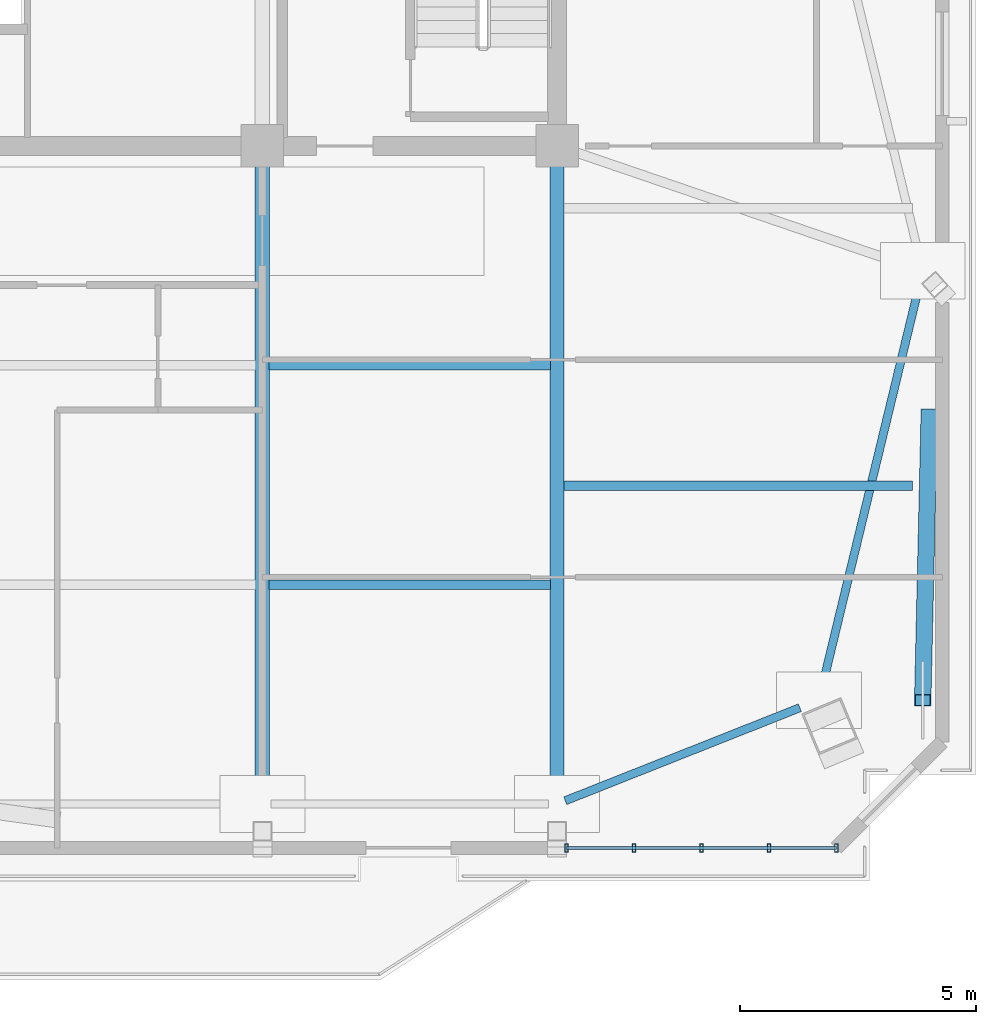
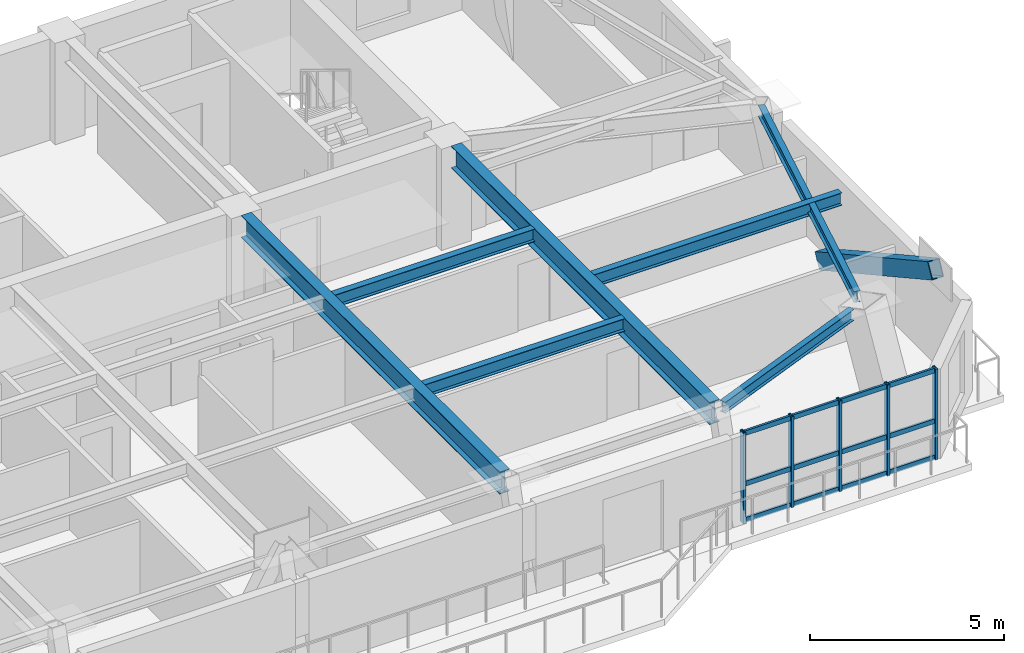
# One storey, part 4 of 12: 9 members, 7 beams, 1 element without a shape of its own.
"""IFC4 building model written with IfcOpenShell, lengths in metres."""

import ifcopenshell
import ifcopenshell.guid

model = None  # the IFC model being written
_history = None  # IfcOwnerHistory: only IFC2X3 demands one
_inside = {}  # id of a spatial element -> (the spatial element, [elements in it])
_under = {}  # id of a project, library or spatial element -> (it, [spatial elements below it])
_declared = {}  # id of a project -> (the project, [libraries it declares])
_typed = {}  # id of a type object -> (the type object, [elements of that type])
_made_of = {}  # id of a material, layer set ... -> (it, [elements and type objects made of it])


def new_model(schema):
    """Start an empty IFC model of exactly this schema.

    Asked for "IFC4X3", IfcOpenShell would pick the latest addendum, in which some entities
    have other attributes; the version numbers below select the first issue.
    IFC2X3 requires an IfcOwnerHistory on every rooted entity: one is made here for all.
    """
    global model, _history
    if schema == "IFC4X3":
        model = ifcopenshell.file(schema_version=(4, 3, 0, 0))
    else:
        model = ifcopenshell.file(schema=schema)
    _inside.clear()
    _under.clear()
    _declared.clear()
    _typed.clear()
    _made_of.clear()
    _history = None
    if model.schema == "IFC2X3":
        org = make("IfcOrganization", Name="unknown")
        user = make(
            "IfcPersonAndOrganization",
            ThePerson=make("IfcPerson", FamilyName="unknown"),
            TheOrganization=org,
        )
        app = make(
            "IfcApplication",
            ApplicationDeveloper=org,
            Version="unknown",
            ApplicationFullName="unknown",
            ApplicationIdentifier="unknown",
        )
        _history = make(
            "IfcOwnerHistory",
            OwningUser=user,
            OwningApplication=app,
            ChangeAction="ADDED",
            CreationDate=0,
        )
    return model


def make(cls, **values):
    """One entity of the class cls with the attributes given. An attribute that is None is left unset."""
    return model.create_entity(
        cls, **{name: value for name, value in values.items() if value is not None}
    )


def rooted(cls, **values):
    """An entity with a GlobalId (a new one), such as an element, a storey or a relation."""
    return make(cls, GlobalId=ifcopenshell.guid.new(), OwnerHistory=_history, **values)


def si_unit(unit_type, name, prefix=None):
    """IfcSIUnit, for example si_unit("LENGTHUNIT", "METRE", prefix="MILLI")."""
    return make("IfcSIUnit", UnitType=unit_type, Prefix=prefix, Name=name)


def assignment(units):
    """IfcUnitAssignment: the units of a project."""
    return None if units is None else make("IfcUnitAssignment", Units=units)


def point(xyz):
    """IfcCartesianPoint."""
    return None if xyz is None else make("IfcCartesianPoint", Coordinates=xyz)


def direction(xyz):
    """IfcDirection."""
    return None if xyz is None else make("IfcDirection", DirectionRatios=xyz)


def frame(location, z_axis=None, x_axis=None):
    """IfcAxis2Placement3D, a coordinate frame: its origin and axes. An axis left out is left unset."""
    return make(
        "IfcAxis2Placement3D",
        Location=point(location),
        Axis=direction(z_axis),
        RefDirection=direction(x_axis),
    )


def frame_2d(location, x_axis=None):
    """IfcAxis2Placement2D, a coordinate frame in the plane: its origin and x axis."""
    return make(
        "IfcAxis2Placement2D", Location=point(location), RefDirection=direction(x_axis)
    )


def origin():
    """The frame at (0, 0, 0) with its axes left unset."""
    return frame((0.0, 0.0, 0.0))


def origin_2d():
    """The frame at (0, 0) in the plane with its x axis left unset."""
    return frame_2d((0.0, 0.0))


def place(relative_to, where):
    """IfcLocalPlacement: puts the frame where relative to a parent placement (None: the world)."""
    return make(
        "IfcLocalPlacement", PlacementRelTo=relative_to, RelativePlacement=where
    )


def context(
    kind, dimensions, precision=None, world=None, true_north=None, identifier=None
):
    """IfcGeometricRepresentationContext, for example the 3D "Model" context."""
    return make(
        "IfcGeometricRepresentationContext",
        ContextIdentifier=identifier,
        ContextType=kind,
        CoordinateSpaceDimension=dimensions,
        Precision=precision,
        WorldCoordinateSystem=world,
        TrueNorth=true_north,
    )


def subcontext(parent, identifier, kind, view, scale=None):
    """IfcGeometricRepresentationSubContext, for example "Body" below "Model"."""
    return make(
        "IfcGeometricRepresentationSubContext",
        ContextIdentifier=identifier,
        ContextType=kind,
        ParentContext=parent,
        TargetScale=scale,
        TargetView=view,
    )


def project(units=None, contexts=None):
    """IfcProject with its units and contexts."""
    return rooted(
        "IfcProject",
        Name="project",
        RepresentationContexts=contexts,
        UnitsInContext=assignment(units),
    )


def spatial(cls, under=None, at=None, **own):
    """A site, building, storey or space (cls), placed at a placement, below another one or the project."""
    s = rooted(cls, ObjectPlacement=at, **own)
    if under is not None:
        _under.setdefault(under.id(), (under, []))[1].append(s)
    return s


def profile(cls, at=None, kind="AREA", **sizes):
    """A parametric profile (cls). Its sizes go by their IFC names, for example OverallWidth=200.0."""
    return make(cls, ProfileType=kind, Position=at, **sizes)


def hollow_rectangle(**sizes):
    """IfcRectangleHollowProfileDef."""
    return profile("IfcRectangleHollowProfileDef", **sizes)


def i_section(**sizes):
    """IfcIShapeProfileDef."""
    return profile("IfcIShapeProfileDef", **sizes)


def extrude(swept, where, along, depth):
    """IfcExtrudedAreaSolid: the profile swept, set in the frame where, extruded along a direction by depth."""
    return make(
        "IfcExtrudedAreaSolid",
        SweptArea=swept,
        Position=where,
        ExtrudedDirection=direction(along),
        Depth=depth,
    )


def shape(context_of_items, identifier, shape_type, items):
    """IfcShapeRepresentation: the items that make up one representation, for example the "Body"."""
    return make(
        "IfcShapeRepresentation",
        ContextOfItems=context_of_items,
        RepresentationIdentifier=identifier,
        RepresentationType=shape_type,
        Items=items,
    )


def source(mapping_origin, context_of_items, identifier, shape_type, items):
    """IfcRepresentationMap: a shape defined once, which mapped items show again and again."""
    return make(
        "IfcRepresentationMap",
        MappingOrigin=mapping_origin,
        MappedRepresentation=shape(context_of_items, identifier, shape_type, items),
    )


def transform(
    local_origin,
    x_axis=None,
    y_axis=None,
    z_axis=None,
    scale=None,
    scale2=None,
    scale3=None,
    uniform=True,
):
    """IfcCartesianTransformationOperator3D, or its non-uniform kind. x_axis, y_axis, z_axis: its Axis1, 2, 3."""
    if uniform:
        return make(
            "IfcCartesianTransformationOperator3D",
            Axis1=direction(x_axis),
            Axis2=direction(y_axis),
            LocalOrigin=point(local_origin),
            Scale=scale,
            Axis3=direction(z_axis),
        )
    return make(
        "IfcCartesianTransformationOperator3DnonUniform",
        Axis1=direction(x_axis),
        Axis2=direction(y_axis),
        LocalOrigin=point(local_origin),
        Scale=scale,
        Axis3=direction(z_axis),
        Scale2=scale2,
        Scale3=scale3,
    )


def mapped(mapping_source, mapping_target):
    """IfcMappedItem: shows the shape of a source again, moved by a transform."""
    return make(
        "IfcMappedItem", MappingSource=mapping_source, MappingTarget=mapping_target
    )


def material(Name=None, Category=None):
    """IfcMaterial."""
    return make("IfcMaterial", Name=Name, Category=Category)


def layer(
    of_material, thickness, ventilated=None, Name=None, Category=None, Priority=None
):
    """IfcMaterialLayer: one layer of a wall or slab, of a material (None: an air gap)."""
    return make(
        "IfcMaterialLayer",
        Material=of_material,
        LayerThickness=thickness,
        IsVentilated=ventilated,
        Name=Name,
        Category=Category,
        Priority=Priority,
    )


def layer_set(layers, Name=None):
    """IfcMaterialLayerSet."""
    return make("IfcMaterialLayerSet", MaterialLayers=layers, LayerSetName=Name)


def material_profile(
    of_material, cross_section, Name=None, Category=None, Priority=None
):
    """IfcMaterialProfile: a cross section and its material."""
    return make(
        "IfcMaterialProfile",
        Name=Name,
        Material=of_material,
        Profile=cross_section,
        Priority=Priority,
        Category=Category,
    )


def profile_set(profiles, Name=None, composite=None):
    """IfcMaterialProfileSet."""
    return make(
        "IfcMaterialProfileSet",
        Name=Name,
        MaterialProfiles=profiles,
        CompositeProfile=composite,
    )


def made_of(thing, what):
    """Note that an element or type object is made of a material, layer set ...; save() writes the relation."""
    if what is not None:
        _made_of.setdefault(what.id(), (what, []))[1].append(thing)
    return thing


def type_object(cls, material=None, **own):
    """A type object (cls), such as IfcWallType, which elements share."""
    return made_of(rooted(cls, **own), material)


def element(
    cls,
    number,
    at=None,
    inside=None,
    cuts=None,
    type_object=None,
    material=None,
    context=None,
    identifier="Body",
    shape_type=None,
    held_by="IfcProductDefinitionShape",
    body=None,
    shapes=None,
    **own,
):
    """One element of the class cls, such as IfcWall. Its Tag is "e" and its number.

    at: its placement. inside: the storey or other place that contains it. cuts: it is an
    opening in that element (IfcRelVoidsElement). A single representation is given by context,
    identifier, shape_type and body (its items); several are given by shapes. held_by: the class
    of the entity that holds the representations. save() writes the other relations.
    """
    e = rooted(cls, Tag="e%d" % number, ObjectPlacement=at, **own)
    if body is not None:
        shapes = [shape(context, identifier, shape_type, body)]
    if shapes is not None:
        e.Representation = make(held_by, Representations=shapes)
    if inside is not None:
        _inside.setdefault(inside.id(), (inside, []))[1].append(e)
    if cuts is not None:
        rooted(
            "IfcRelVoidsElement", RelatingBuildingElement=cuts, RelatedOpeningElement=e
        )
    if type_object is not None:
        _typed.setdefault(type_object.id(), (type_object, []))[1].append(e)
    return made_of(e, material)


def aggregate(whole, parts):
    """IfcRelAggregates: a whole, such as a stair, and the parts it consists of."""
    return rooted("IfcRelAggregates", RelatingObject=whole, RelatedObjects=parts)


def save(model, path):
    """Write the relations noted so far, then the file.

    IfcRelAggregates (storeys below a building ...), IfcRelContainedInSpatialStructure (elements
    in a storey), IfcRelDefinesByType, IfcRelAssociatesMaterial and IfcRelDeclares: one each for
    every whole, place, type object, material and project.
    """
    for whole, parts in _under.values():
        aggregate(whole, parts)
    for where, things in _inside.values():
        rooted(
            "IfcRelContainedInSpatialStructure",
            RelatedElements=things,
            RelatingStructure=where,
        )
    for kind, things in _typed.values():
        rooted("IfcRelDefinesByType", RelatedObjects=things, RelatingType=kind)
    for what, things in _made_of.values():
        rooted("IfcRelAssociatesMaterial", RelatedObjects=things, RelatingMaterial=what)
    for by, libraries in _declared.values():
        rooted("IfcRelDeclares", RelatingContext=by, RelatedDefinitions=libraries)
    model.write(path)


model = new_model("IFC4")

# Units and contexts
model_context = context("Model", 3, precision=1e-05, world=origin(), true_north=direction((0.0, 1.0)))
body_context = subcontext(model_context, "Body", "Model", "MODEL_VIEW")
ifc_project = project(units=[si_unit("LENGTHUNIT", "METRE"), si_unit("AREAUNIT", "SQUARE_METRE"), si_unit("VOLUMEUNIT", "CUBIC_METRE"), si_unit("PLANEANGLEUNIT", "RADIAN"), si_unit("MASSUNIT", "GRAM", prefix="KILO")], contexts=[model_context])

# Site, building, storey
site_placement = place(None, origin())
site = spatial("IfcSite", under=ifc_project, at=site_placement, CompositionType="ELEMENT")
building_placement = place(site_placement, origin())
building = spatial("IfcBuilding", under=site, at=building_placement, Name="Giltprow Tower", CompositionType="ELEMENT")
storey_placement = place(building_placement, frame((0.0, 0.0, 342.5)))
storey = spatial("IfcBuildingStorey", under=building, at=storey_placement, Name="L89", CompositionType="ELEMENT", Elevation=342.5)

# Beams
ifc_material_1 = material(Name="Structural steel Q355B", Category="steel")
ifc_material_profile_1 = material_profile(ifc_material_1, i_section(OverallWidth=0.199951171875, OverallDepth=0.39990234375, WebThickness=0.008056640625, FlangeThickness=0.012939453125, at=origin_2d()), Name="HN 400x200x8x13")
ifc_profile_set_1 = profile_set([ifc_material_profile_1], Name="Structural steel Q355B")
beam_type_1 = type_object("IfcBeamType", Name="BM-JOIST-HN400", PredefinedType="JOIST", material=ifc_profile_set_1)
shared_shape_1 = source(origin(), body_context, "Body", "SweptSolid", [
    extrude(i_section(OverallWidth=0.199951171875, OverallDepth=0.39990234375, WebThickness=0.008056640625, FlangeThickness=0.012939453125, at=origin_2d()), origin(), (0.0, 0.0, 1.0), 5.9599609375),
])
for number, where, z_axis, x_axis, name in (
    (1, (44.445068359375, 28.14990234375, 2.985107421875), (1.0, 0.0, 0.0), (0.0, 1.0, 0.0), "L89 Composite Floor Joist 1-4"),
    (2, (44.445068359375, 32.800048828125, 2.985107421875), (1.0, 0.0, 0.0), (0.0, 1.0, 0.0), "L89 Composite Floor Joist 2-4"),
):
    element("IfcBeam", number, at=place(storey_placement, frame(where, z_axis=z_axis, x_axis=x_axis)), inside=storey, type_object=beam_type_1, Name=name, PredefinedType="JOIST", context=body_context, shape_type="MappedRepresentation", body=[
        mapped(shared_shape_1, transform((0.0, 0.0, 0.0), x_axis=(1.0, 0.0, 0.0), y_axis=(0.0, 1.0, 0.0), z_axis=(0.0, 0.0, 1.0), scale=1.0)),
    ])
ifc_material_profile_2 = material_profile(ifc_material_1, i_section(OverallWidth=0.175048828125, OverallDepth=0.35009765625, WebThickness=0.007080078125, FlangeThickness=0.010986328125, at=origin_2d()), Name="HN 350x175x7x11")
ifc_profile_set_2 = profile_set([ifc_material_profile_2], Name="Structural steel Q355B")
beam_type_2 = type_object("IfcBeamType", Name="BM-SPAN-HN350", PredefinedType="SPANDREL", material=ifc_profile_set_2)
shared_shape_2 = source(origin(), body_context, "Body", "SweptSolid", [
    extrude(i_section(OverallWidth=0.175048828125, OverallDepth=0.35009765625, WebThickness=0.007080078125, FlangeThickness=0.010986328125, at=origin_2d()), origin(), (0.0, 0.0, 1.0), 5.350830078125),
])
beam_1_placement = place(storey_placement, frame((50.721923828125, 23.568115234375, 3.010009765625), z_axis=(0.929614560118, 0.368533267992, 0.0), x_axis=(-0.368533267992, 0.929614560118, 0.0)))
element("IfcBeam", 3, at=beam_1_placement, inside=storey, type_object=beam_type_2, Name="L89 Perimeter Spandrel Beam S4-MC_SE", PredefinedType="SPANDREL", context=body_context, shape_type="MappedRepresentation", body=[
    mapped(shared_shape_2, transform((0.0, 0.0, 0.0), x_axis=(1.0, 0.0, 0.0), y_axis=(0.0, 1.0, 0.0), z_axis=(0.0, 0.0, 1.0), scale=1.0)),
])
shared_shape_3 = source(origin(), body_context, "Body", "SweptSolid", [
    extrude(i_section(OverallWidth=0.175048828125, OverallDepth=0.35009765625, WebThickness=0.007080078125, FlangeThickness=0.010986328125, at=origin_2d()), origin(), (0.0, 0.0, 1.0), 8.7421875),
])
beam_2_placement = place(storey_placement, frame((56.201904296875, 26.123046875, 3.010009765625), z_axis=(0.235090039637, 0.971973596999, 0.0), x_axis=(-0.971973596999, 0.235090039637, 0.0)))
element("IfcBeam", 4, at=beam_2_placement, inside=storey, type_object=beam_type_2, Name="L89 Perimeter Spandrel Beam MC_SE-E_MID", PredefinedType="SPANDREL", context=body_context, shape_type="MappedRepresentation", body=[
    mapped(shared_shape_3, transform((0.0, 0.0, 0.0), x_axis=(1.0, 0.0, 0.0), y_axis=(0.0, 1.0, 0.0), z_axis=(0.0, 0.0, 1.0), scale=1.0)),
])
ifc_material_profile_3 = material_profile(ifc_material_1, i_section(OverallWidth=0.300048828125, OverallDepth=0.699951171875, WebThickness=0.012939453125, FlangeThickness=0.02392578125, at=origin_2d()), Name="HN 700x300x13x24")
ifc_profile_set_3 = profile_set([ifc_material_profile_3], Name="Structural steel Q355B")
beam_type_3 = type_object("IfcBeamType", Name="BM-GIRD-HN700", PredefinedType="BEAM", material=ifc_profile_set_3)
shared_shape_4 = source(origin(), body_context, "Body", "SweptSolid", [
    extrude(i_section(OverallWidth=0.300048828125, OverallDepth=0.699951171875, WebThickness=0.012939453125, FlangeThickness=0.02392578125, at=origin_2d()), origin(), (0.0, 0.0, 1.0), 13.329833984375),
])
for number, where, z_axis, x_axis, name in (
    (5, (44.300048828125, 23.68505859375, 2.8349609375), (0.0, 1.0, 0.0), (-1.0, 0.0, 0.0), "L89 Primary Lease Girder S3"),
    (6, (50.550048828125, 23.68505859375, 2.8349609375), (0.0, 1.0, 0.0), (-1.0, 0.0, 0.0), "L89 Primary Lease Girder S4"),
):
    element("IfcBeam", number, at=place(storey_placement, frame(where, z_axis=z_axis, x_axis=x_axis)), inside=storey, type_object=beam_type_3, Name=name, PredefinedType="BEAM", context=body_context, shape_type="MappedRepresentation", body=[
        mapped(shared_shape_4, transform((0.0, 0.0, 0.0), x_axis=(1.0, 0.0, 0.0), y_axis=(0.0, 1.0, 0.0), z_axis=(0.0, 0.0, 1.0), scale=1.0)),
    ])
shared_shape_5 = source(origin(), body_context, "Body", "SweptSolid", [
    extrude(i_section(OverallWidth=0.199951171875, OverallDepth=0.39990234375, WebThickness=0.008056640625, FlangeThickness=0.012939453125, at=origin_2d()), origin(), (0.0, 0.0, 1.0), 7.385009765625),
])
beam_3_placement = place(storey_placement, frame((50.695068359375, 30.25, 2.985107421875), z_axis=(1.0, 0.0, 0.0), x_axis=(0.0, 1.0, 0.0)))
element("IfcBeam", 7, at=beam_3_placement, inside=storey, type_object=beam_type_1, Name="L89 East Wing Floor Joist 1", PredefinedType="JOIST", context=body_context, shape_type="MappedRepresentation", body=[
    mapped(shared_shape_5, transform((0.0, 0.0, 0.0), x_axis=(1.0, 0.0, 0.0), y_axis=(0.0, 1.0, 0.0), z_axis=(0.0, 0.0, 1.0), scale=1.0)),
])

# Member
ifc_material_2 = material(Name="Structural steel Q420GJC", Category="steel")
ifc_material_profile_4 = material_profile(ifc_material_2, hollow_rectangle(XDim=0.35009765625, YDim=0.5, WallThickness=0.02392578125, at=origin_2d()), Name="RHS 500x350x24")
ifc_profile_set_4 = profile_set([ifc_material_profile_4], Name="Structural steel Q420GJC")
member_type_1 = type_object("IfcMemberType", Name="MBR-MEGA-RHS500", PredefinedType="BRACE", material=ifc_profile_set_4)
shared_shape_6 = source(origin(), body_context, "Body", "SweptSolid", [
    extrude(hollow_rectangle(XDim=0.35009765625, YDim=0.5, WallThickness=0.02392578125, at=origin_2d()), origin(), (0.0, 0.0, 1.0), 6.942138671875),
])
member_1_placement = place(storey_placement, frame((58.43798828125, 31.7509765625, 0.0), z_axis=(-0.019869882345, -0.87163722816, 0.489748639877), x_axis=(0.999740271367, -0.02279012521, 0.0)))
element("IfcMember", 8, at=member_1_placement, inside=storey, type_object=member_type_1, Name="L89 Chevron Mega-Brace E-D", PredefinedType="BRACE", context=body_context, shape_type="MappedRepresentation", body=[
    mapped(shared_shape_6, transform((0.0, 0.0, 0.0), x_axis=(1.0, 0.0, 0.0), y_axis=(0.0, 1.0, 0.0), z_axis=(0.0, 0.0, 1.0), scale=1.0)),
])

# Curtain wall, members
ifc_material_3 = material(Name="Anodized bronze", Category="metal")
ifc_layer = layer(ifc_material_3, 0.179931640625, Name="Anodized bronze")
ifc_layer_set = layer_set([ifc_layer], Name="Anodized bronze")
curtain_wall_type = type_object("IfcCurtainWallType", Name="CW-RES-SKY", PredefinedType="NOTDEFINED", material=ifc_layer_set)
curtain_wall_placement = place(storey_placement, origin())
curtain_wall = element("IfcCurtainWall", 9, at=curtain_wall_placement, inside=storey, type_object=curtain_wall_type, Name="L89 South Recessed Curtain Wall 6", PredefinedType="NOTDEFINED")
ifc_material_profile_5 = material_profile(ifc_material_3, hollow_rectangle(XDim=0.074951171875, YDim=0.179931640625, WallThickness=0.008056640625, at=origin_2d()), Name="RHS 180x75x8")
ifc_profile_set_5 = profile_set([ifc_material_profile_5], Name="Anodized bronze")
member_type_2 = type_object("IfcMemberType", Name="CW-MULLION-180x75", PredefinedType="MULLION", material=ifc_profile_set_5)
shared_shape_7 = source(origin(), body_context, "Body", "SweptSolid", [
    extrude(hollow_rectangle(XDim=0.074951171875, YDim=0.179931640625, WallThickness=0.008056640625, at=origin_2d()), origin(), (0.0, 0.0, 1.0), 2.8701171875),
])
member_2_placement = place(storey_placement, frame((50.75, 22.568115234375, -0.02001953125), z_axis=(0.0, 0.0, 1.0), x_axis=(1.0, 0.0, 0.0)))
member_2 = element("IfcMember", 10, at=member_2_placement, type_object=member_type_2, Name="L89 South Recessed Curtain Wall 6 Mullion 1", PredefinedType="MULLION", context=body_context, shape_type="MappedRepresentation", body=[
    mapped(shared_shape_7, transform((0.0, 0.0, 0.0), x_axis=(1.0, 0.0, 0.0), y_axis=(0.0, 1.0, 0.0), z_axis=(0.0, 0.0, 1.0), scale=1.0)),
])
member_3_placement = place(storey_placement, frame((52.179931640625, 22.568115234375, -0.02001953125), z_axis=(0.0, 0.0, 1.0), x_axis=(1.0, 0.0, 0.0)))
member_3 = element("IfcMember", 11, at=member_3_placement, type_object=member_type_2, Name="L89 South Recessed Curtain Wall 6 Mullion 2", PredefinedType="MULLION", context=body_context, shape_type="MappedRepresentation", body=[
    mapped(shared_shape_7, transform((0.0, 0.0, 0.0), x_axis=(1.0, 0.0, 0.0), y_axis=(0.0, 1.0, 0.0), z_axis=(0.0, 0.0, 1.0), scale=1.0)),
])
member_4_placement = place(storey_placement, frame((53.60888671875, 22.568115234375, -0.02001953125), z_axis=(0.0, 0.0, 1.0), x_axis=(1.0, 0.0, 0.0)))
member_4 = element("IfcMember", 12, at=member_4_placement, type_object=member_type_2, Name="L89 South Recessed Curtain Wall 6 Mullion 3", PredefinedType="MULLION", context=body_context, shape_type="MappedRepresentation", body=[
    mapped(shared_shape_7, transform((0.0, 0.0, 0.0), x_axis=(1.0, 0.0, 0.0), y_axis=(0.0, 1.0, 0.0), z_axis=(0.0, 0.0, 1.0), scale=1.0)),
])
member_5_placement = place(storey_placement, frame((55.0390625, 22.568115234375, -0.02001953125), z_axis=(0.0, 0.0, 1.0), x_axis=(1.0, 0.0, 0.0)))
member_5 = element("IfcMember", 13, at=member_5_placement, type_object=member_type_2, Name="L89 South Recessed Curtain Wall 6 Mullion 4", PredefinedType="MULLION", context=body_context, shape_type="MappedRepresentation", body=[
    mapped(shared_shape_7, transform((0.0, 0.0, 0.0), x_axis=(1.0, 0.0, 0.0), y_axis=(0.0, 1.0, 0.0), z_axis=(0.0, 0.0, 1.0), scale=1.0)),
])
member_6_placement = place(storey_placement, frame((56.468994140625, 22.568115234375, -0.02001953125), z_axis=(0.0, 0.0, 1.0), x_axis=(1.0, 0.0, 0.0)))
member_6 = element("IfcMember", 14, at=member_6_placement, type_object=member_type_2, Name="L89 South Recessed Curtain Wall 6 Mullion 5", PredefinedType="MULLION", context=body_context, shape_type="MappedRepresentation", body=[
    mapped(shared_shape_7, transform((0.0, 0.0, 0.0), x_axis=(1.0, 0.0, 0.0), y_axis=(0.0, 1.0, 0.0), z_axis=(0.0, 0.0, 1.0), scale=1.0)),
])
ifc_material_profile_6 = material_profile(ifc_material_3, hollow_rectangle(XDim=0.06494140625, YDim=0.14990234375, WallThickness=0.006103515625, at=origin_2d()), Name="RHS 150x65x6")
ifc_profile_set_6 = profile_set([ifc_material_profile_6], Name="Anodized bronze")
member_type_3 = type_object("IfcMemberType", Name="CW-TRANSOM-150x65", PredefinedType="USERDEFINED", material=ifc_profile_set_6)
shared_shape_8 = source(origin(), body_context, "Body", "SweptSolid", [
    extrude(hollow_rectangle(XDim=0.06494140625, YDim=0.14990234375, WallThickness=0.006103515625, at=origin_2d()), origin(), (0.0, 0.0, 1.0), 5.718994140625),
])
member_7_placement = place(storey_placement, frame((50.75, 22.568115234375, 0.0400390625), z_axis=(1.0, 0.0, 0.0), x_axis=(0.0, 1.0, 0.0)))
member_7 = element("IfcMember", 15, at=member_7_placement, type_object=member_type_3, Name="L89 South Recessed Curtain Wall 6 Transom 1", ObjectType="TRANSOM", PredefinedType="USERDEFINED", context=body_context, shape_type="MappedRepresentation", body=[
    mapped(shared_shape_8, transform((0.0, 0.0, 0.0), x_axis=(1.0, 0.0, 0.0), y_axis=(0.0, 1.0, 0.0), z_axis=(0.0, 0.0, 1.0), scale=1.0)),
])
member_8_placement = place(storey_placement, frame((50.75, 22.568115234375, 1.181884765625), z_axis=(1.0, 0.0, 0.0), x_axis=(0.0, 1.0, 0.0)))
member_8 = element("IfcMember", 16, at=member_8_placement, type_object=member_type_3, Name="L89 South Recessed Curtain Wall 6 Transom 2", ObjectType="TRANSOM", PredefinedType="USERDEFINED", context=body_context, shape_type="MappedRepresentation", body=[
    mapped(shared_shape_8, transform((0.0, 0.0, 0.0), x_axis=(1.0, 0.0, 0.0), y_axis=(0.0, 1.0, 0.0), z_axis=(0.0, 0.0, 1.0), scale=1.0)),
])
member_9_placement = place(storey_placement, frame((50.75, 22.568115234375, 2.77490234375), z_axis=(1.0, 0.0, 0.0), x_axis=(0.0, 1.0, 0.0)))
member_9 = element("IfcMember", 17, at=member_9_placement, type_object=member_type_3, Name="L89 South Recessed Curtain Wall 6 Transom 3", ObjectType="TRANSOM", PredefinedType="USERDEFINED", context=body_context, shape_type="MappedRepresentation", body=[
    mapped(shared_shape_8, transform((0.0, 0.0, 0.0), x_axis=(1.0, 0.0, 0.0), y_axis=(0.0, 1.0, 0.0), z_axis=(0.0, 0.0, 1.0), scale=1.0)),
])
aggregate(curtain_wall, [member_2, member_3, member_4, member_5, member_6, member_7, member_8, member_9])

save(model, "model.ifc")
